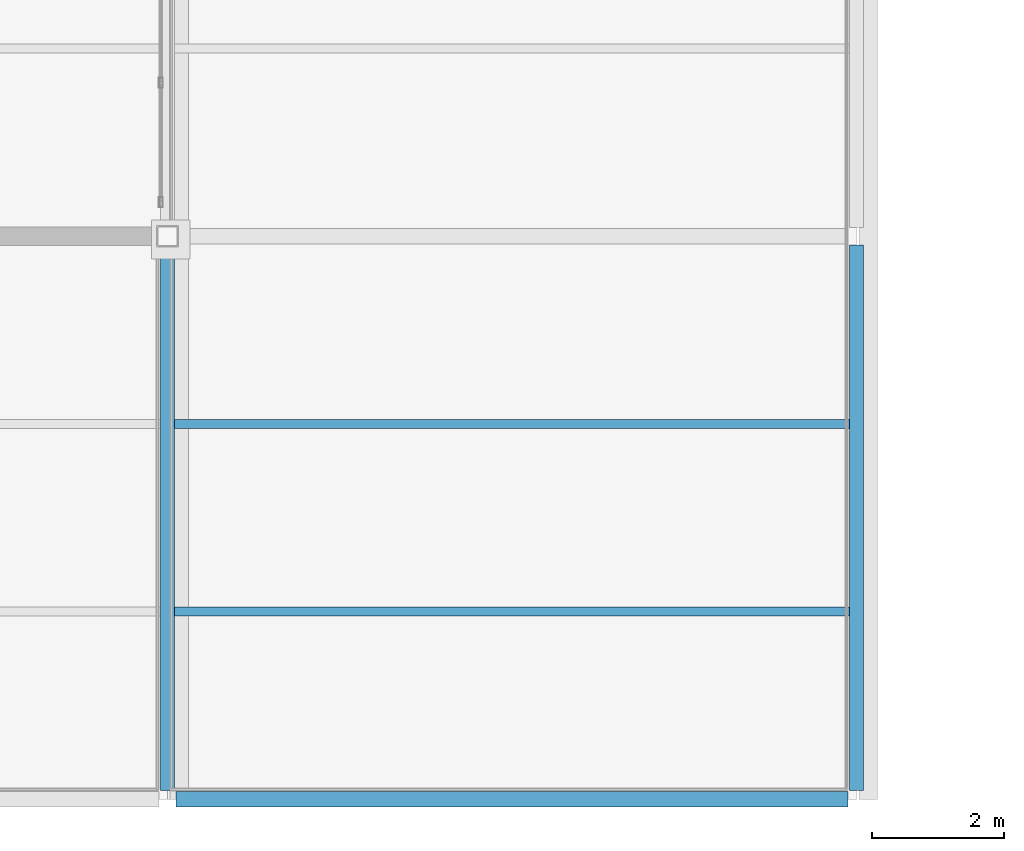
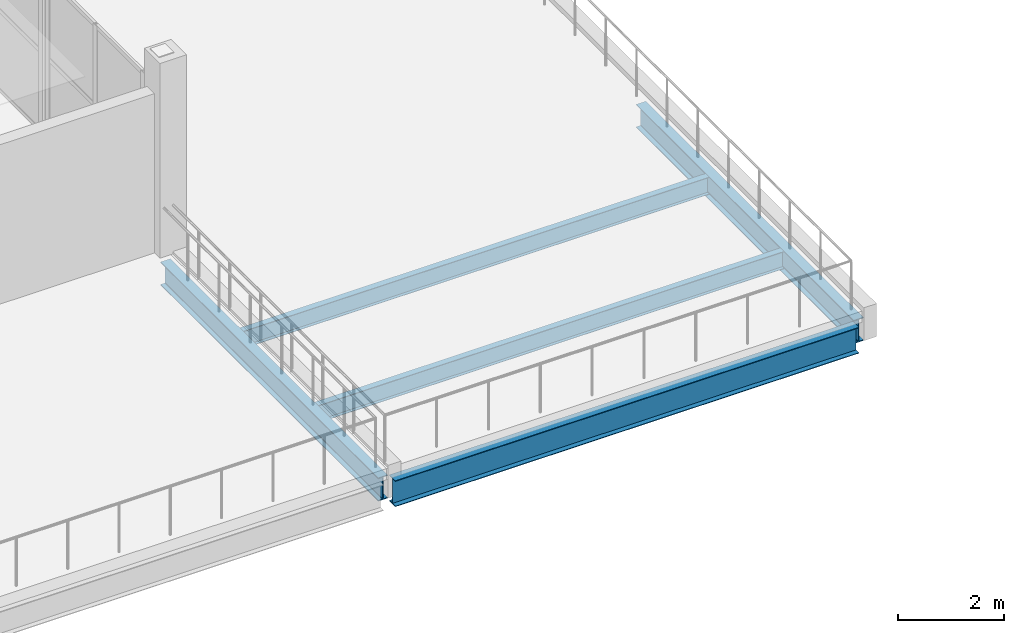
# One storey, part 61 of 156: 5 beams.
"""IFC4 building model written with IfcOpenShell, lengths in metres."""

from ifc_helpers import new_model, si_unit, direction, frame, origin, origin_2d, place, context, subcontext, project, spatial, i_section, extrude, material, material_profile, profile_set, type_object, element, save


model = new_model("IFC4")

# Units and contexts
model_context = context("Model", 3, precision=1e-05, world=origin(), true_north=direction((0.0, 1.0)))
body_context = subcontext(model_context, "Body", "Model", "MODEL_VIEW")
ifc_project = project(units=[si_unit("LENGTHUNIT", "METRE"), si_unit("AREAUNIT", "SQUARE_METRE"), si_unit("VOLUMEUNIT", "CUBIC_METRE"), si_unit("PLANEANGLEUNIT", "RADIAN"), si_unit("MASSUNIT", "GRAM", prefix="KILO")], contexts=[model_context])

# Site, building, storey
site_placement = place(None, origin())
site = spatial("IfcSite", under=ifc_project, at=site_placement, CompositionType="ELEMENT")
building_placement = place(site_placement, origin())
building = spatial("IfcBuilding", under=site, at=building_placement, Name="Caurita Quay Ferry Terminal", CompositionType="ELEMENT")
storey_placement = place(building_placement, frame((0.0, 0.0, 5.39990234375)))
storey = spatial("IfcBuildingStorey", under=building, at=storey_placement, Name="L01", CompositionType="ELEMENT", Elevation=5.39990234375)

# Beams
ifc_material = material(Name="Structural steel ASTM A992 Gr. 50", Category="steel")
ifc_material_profile_1 = material_profile(ifc_material, i_section(OverallWidth=0.210693359375, OverallDepth=0.53857421875, WebThickness=0.01171875, FlangeThickness=0.018798828125, FilletRadius=0.013916015625, at=origin_2d()), Name="W21X73")
ifc_profile_set_1 = profile_set([ifc_material_profile_1], Name="Structural steel ASTM A992 Gr. 50")
beam_type_1 = type_object("IfcBeamType", Name="BM-GR-W21A", PredefinedType="BEAM", material=ifc_profile_set_1)
for number, where, z_axis, x_axis, name in (
    (1, (142.800048828125, 0.12939453125, -0.529296875), (0.0, 1.0, 0.0), (-1.0, 0.0, 0.0), "L01 Beam BM-V3P-L01-Y-1428-1"),
    (2, (153.199951171875, 0.12939453125, -0.529296875), (0.0, 1.0, 0.0), (-1.0, 0.0, 0.0), "L01 Beam BM-V3P-L01-Y-1532-1"),
):
    element("IfcBeam", number, at=place(storey_placement, frame(where, z_axis=z_axis, x_axis=x_axis)), inside=storey, type_object=beam_type_1, Name=name, PredefinedType="BEAM", context=body_context, shape_type="SweptSolid", body=[
        extrude(i_section(OverallWidth=0.210693359375, OverallDepth=0.53857421875, WebThickness=0.01171875, FlangeThickness=0.018798828125, FilletRadius=0.013916015625, at=origin_2d()), origin(), (0.0, 0.0, 1.0), 8.2412109375),
    ])
ifc_material_profile_2 = material_profile(ifc_material, i_section(OverallWidth=0.22802734375, OverallDepth=0.60205078125, WebThickness=0.010498046875, FlangeThickness=0.014892578125, at=origin_2d()), Name="W24X68")
ifc_profile_set_2 = profile_set([ifc_material_profile_2], Name="Structural steel ASTM A992 Gr. 50")
beam_type_2 = type_object("IfcBeamType", Name="BM-GR-W24C", PredefinedType="BEAM", material=ifc_profile_set_2)
beam_placement = place(storey_placement, frame((142.929443359375, 0.0, -0.560791015625), z_axis=(1.0, 0.0, 0.0), x_axis=(0.0, 1.0, 0.0)))
element("IfcBeam", 3, at=beam_placement, inside=storey, type_object=beam_type_2, Name="L01 Beam BM-V3P-L01-X-1429-0", PredefinedType="BEAM", context=body_context, shape_type="SweptSolid", body=[
    extrude(i_section(OverallWidth=0.22802734375, OverallDepth=0.60205078125, WebThickness=0.010498046875, FlangeThickness=0.014892578125, at=origin_2d()), origin(), (0.0, 0.0, 1.0), 10.14111328125),
])
ifc_material_profile_3 = material_profile(ifc_material, i_section(OverallWidth=0.139892578125, OverallDepth=0.39892578125, WebThickness=0.00634765625, FlangeThickness=0.0087890625, at=origin_2d()), Name="W16X26")
ifc_profile_set_3 = profile_set([ifc_material_profile_3], Name="Structural steel ASTM A992 Gr. 50")
beam_type_3 = type_object("IfcBeamType", Name="BM-JS-W16C", PredefinedType="JOIST", material=ifc_profile_set_3)
for number, where, z_axis, x_axis, name in (
    (4, (142.905517578125, 2.833251953125, -0.45947265625), (1.0, 0.0, 0.0), (0.0, 1.0, 0.0), "L01 Beam JS-V3P-L01-009"),
    (5, (142.905517578125, 5.666748046875, -0.45947265625), (1.0, 0.0, 0.0), (0.0, 1.0, 0.0), "L01 Beam JS-V3P-L01-010"),
):
    element("IfcBeam", number, at=place(storey_placement, frame(where, z_axis=z_axis, x_axis=x_axis)), inside=storey, type_object=beam_type_3, Name=name, PredefinedType="JOIST", context=body_context, shape_type="SweptSolid", body=[
        extrude(i_section(OverallWidth=0.139892578125, OverallDepth=0.39892578125, WebThickness=0.00634765625, FlangeThickness=0.0087890625, at=origin_2d()), origin(), (0.0, 0.0, 1.0), 10.18896484375),
    ])

save(model, "model.ifc")
